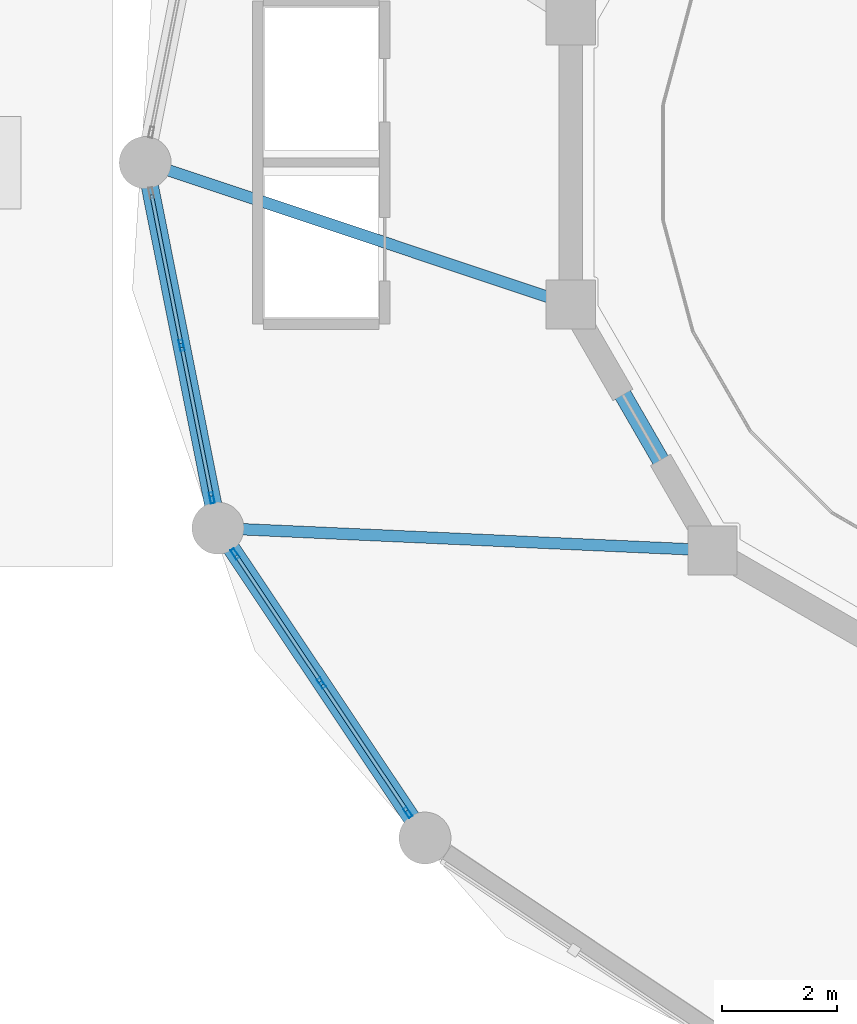
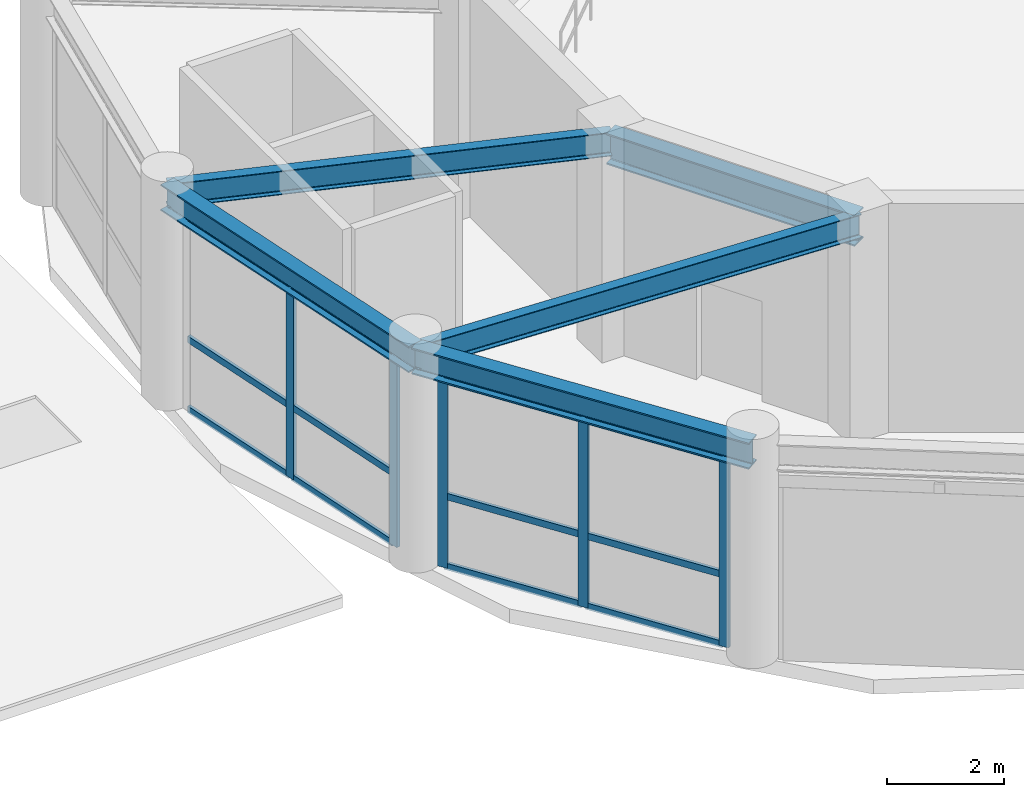
# One storey, part 10 of 34: 17 members, 5 beams, 2 elements without a shape of their own.
"""IFC4 building model written with IfcOpenShell, lengths in metres."""

import ifcopenshell
import ifcopenshell.guid

model = None  # the IFC model being written
_history = None  # IfcOwnerHistory: only IFC2X3 demands one
_inside = {}  # id of a spatial element -> (the spatial element, [elements in it])
_under = {}  # id of a project, library or spatial element -> (it, [spatial elements below it])
_declared = {}  # id of a project -> (the project, [libraries it declares])
_typed = {}  # id of a type object -> (the type object, [elements of that type])
_made_of = {}  # id of a material, layer set ... -> (it, [elements and type objects made of it])


def new_model(schema):
    """Start an empty IFC model of exactly this schema.

    Asked for "IFC4X3", IfcOpenShell would pick the latest addendum, in which some entities
    have other attributes; the version numbers below select the first issue.
    IFC2X3 requires an IfcOwnerHistory on every rooted entity: one is made here for all.
    """
    global model, _history
    if schema == "IFC4X3":
        model = ifcopenshell.file(schema_version=(4, 3, 0, 0))
    else:
        model = ifcopenshell.file(schema=schema)
    _inside.clear()
    _under.clear()
    _declared.clear()
    _typed.clear()
    _made_of.clear()
    _history = None
    if model.schema == "IFC2X3":
        org = make("IfcOrganization", Name="unknown")
        user = make(
            "IfcPersonAndOrganization",
            ThePerson=make("IfcPerson", FamilyName="unknown"),
            TheOrganization=org,
        )
        app = make(
            "IfcApplication",
            ApplicationDeveloper=org,
            Version="unknown",
            ApplicationFullName="unknown",
            ApplicationIdentifier="unknown",
        )
        _history = make(
            "IfcOwnerHistory",
            OwningUser=user,
            OwningApplication=app,
            ChangeAction="ADDED",
            CreationDate=0,
        )
    return model


def make(cls, **values):
    """One entity of the class cls with the attributes given. An attribute that is None is left unset."""
    return model.create_entity(
        cls, **{name: value for name, value in values.items() if value is not None}
    )


def rooted(cls, **values):
    """An entity with a GlobalId (a new one), such as an element, a storey or a relation."""
    return make(cls, GlobalId=ifcopenshell.guid.new(), OwnerHistory=_history, **values)


def si_unit(unit_type, name, prefix=None):
    """IfcSIUnit, for example si_unit("LENGTHUNIT", "METRE", prefix="MILLI")."""
    return make("IfcSIUnit", UnitType=unit_type, Prefix=prefix, Name=name)


def derived_unit(unit_type, elements):
    """IfcDerivedUnit: a product of units, each with its exponent."""
    return make(
        "IfcDerivedUnit",
        Elements=[
            make("IfcDerivedUnitElement", Unit=unit, Exponent=power)
            for unit, power in elements
        ],
        UnitType=unit_type,
    )


def assignment(units):
    """IfcUnitAssignment: the units of a project."""
    return None if units is None else make("IfcUnitAssignment", Units=units)


def point(xyz):
    """IfcCartesianPoint."""
    return None if xyz is None else make("IfcCartesianPoint", Coordinates=xyz)


def direction(xyz):
    """IfcDirection."""
    return None if xyz is None else make("IfcDirection", DirectionRatios=xyz)


def frame(location, z_axis=None, x_axis=None):
    """IfcAxis2Placement3D, a coordinate frame: its origin and axes. An axis left out is left unset."""
    return make(
        "IfcAxis2Placement3D",
        Location=point(location),
        Axis=direction(z_axis),
        RefDirection=direction(x_axis),
    )


def frame_2d(location, x_axis=None):
    """IfcAxis2Placement2D, a coordinate frame in the plane: its origin and x axis."""
    return make(
        "IfcAxis2Placement2D", Location=point(location), RefDirection=direction(x_axis)
    )


def origin():
    """The frame at (0, 0, 0) with its axes left unset."""
    return frame((0.0, 0.0, 0.0))


def origin_2d():
    """The frame at (0, 0) in the plane with its x axis left unset."""
    return frame_2d((0.0, 0.0))


def place(relative_to, where):
    """IfcLocalPlacement: puts the frame where relative to a parent placement (None: the world)."""
    return make(
        "IfcLocalPlacement", PlacementRelTo=relative_to, RelativePlacement=where
    )


def context(
    kind, dimensions, precision=None, world=None, true_north=None, identifier=None
):
    """IfcGeometricRepresentationContext, for example the 3D "Model" context."""
    return make(
        "IfcGeometricRepresentationContext",
        ContextIdentifier=identifier,
        ContextType=kind,
        CoordinateSpaceDimension=dimensions,
        Precision=precision,
        WorldCoordinateSystem=world,
        TrueNorth=true_north,
    )


def subcontext(parent, identifier, kind, view, scale=None):
    """IfcGeometricRepresentationSubContext, for example "Body" below "Model"."""
    return make(
        "IfcGeometricRepresentationSubContext",
        ContextIdentifier=identifier,
        ContextType=kind,
        ParentContext=parent,
        TargetScale=scale,
        TargetView=view,
    )


def project(units=None, contexts=None):
    """IfcProject with its units and contexts."""
    return rooted(
        "IfcProject",
        Name="project",
        RepresentationContexts=contexts,
        UnitsInContext=assignment(units),
    )


def spatial(cls, under=None, at=None, **own):
    """A site, building, storey or space (cls), placed at a placement, below another one or the project."""
    s = rooted(cls, ObjectPlacement=at, **own)
    if under is not None:
        _under.setdefault(under.id(), (under, []))[1].append(s)
    return s


def profile(cls, at=None, kind="AREA", **sizes):
    """A parametric profile (cls). Its sizes go by their IFC names, for example OverallWidth=200.0."""
    return make(cls, ProfileType=kind, Position=at, **sizes)


def hollow_rectangle(**sizes):
    """IfcRectangleHollowProfileDef."""
    return profile("IfcRectangleHollowProfileDef", **sizes)


def i_section(**sizes):
    """IfcIShapeProfileDef."""
    return profile("IfcIShapeProfileDef", **sizes)


def extrude(swept, where, along, depth):
    """IfcExtrudedAreaSolid: the profile swept, set in the frame where, extruded along a direction by depth."""
    return make(
        "IfcExtrudedAreaSolid",
        SweptArea=swept,
        Position=where,
        ExtrudedDirection=direction(along),
        Depth=depth,
    )


def shape(context_of_items, identifier, shape_type, items):
    """IfcShapeRepresentation: the items that make up one representation, for example the "Body"."""
    return make(
        "IfcShapeRepresentation",
        ContextOfItems=context_of_items,
        RepresentationIdentifier=identifier,
        RepresentationType=shape_type,
        Items=items,
    )


def source(mapping_origin, context_of_items, identifier, shape_type, items):
    """IfcRepresentationMap: a shape defined once, which mapped items show again and again."""
    return make(
        "IfcRepresentationMap",
        MappingOrigin=mapping_origin,
        MappedRepresentation=shape(context_of_items, identifier, shape_type, items),
    )


def transform(
    local_origin,
    x_axis=None,
    y_axis=None,
    z_axis=None,
    scale=None,
    scale2=None,
    scale3=None,
    uniform=True,
):
    """IfcCartesianTransformationOperator3D, or its non-uniform kind. x_axis, y_axis, z_axis: its Axis1, 2, 3."""
    if uniform:
        return make(
            "IfcCartesianTransformationOperator3D",
            Axis1=direction(x_axis),
            Axis2=direction(y_axis),
            LocalOrigin=point(local_origin),
            Scale=scale,
            Axis3=direction(z_axis),
        )
    return make(
        "IfcCartesianTransformationOperator3DnonUniform",
        Axis1=direction(x_axis),
        Axis2=direction(y_axis),
        LocalOrigin=point(local_origin),
        Scale=scale,
        Axis3=direction(z_axis),
        Scale2=scale2,
        Scale3=scale3,
    )


def mapped(mapping_source, mapping_target):
    """IfcMappedItem: shows the shape of a source again, moved by a transform."""
    return make(
        "IfcMappedItem", MappingSource=mapping_source, MappingTarget=mapping_target
    )


def material(Name=None, Category=None):
    """IfcMaterial."""
    return make("IfcMaterial", Name=Name, Category=Category)


def layer(
    of_material, thickness, ventilated=None, Name=None, Category=None, Priority=None
):
    """IfcMaterialLayer: one layer of a wall or slab, of a material (None: an air gap)."""
    return make(
        "IfcMaterialLayer",
        Material=of_material,
        LayerThickness=thickness,
        IsVentilated=ventilated,
        Name=Name,
        Category=Category,
        Priority=Priority,
    )


def layer_set(layers, Name=None):
    """IfcMaterialLayerSet."""
    return make("IfcMaterialLayerSet", MaterialLayers=layers, LayerSetName=Name)


def material_profile(
    of_material, cross_section, Name=None, Category=None, Priority=None
):
    """IfcMaterialProfile: a cross section and its material."""
    return make(
        "IfcMaterialProfile",
        Name=Name,
        Material=of_material,
        Profile=cross_section,
        Priority=Priority,
        Category=Category,
    )


def profile_set(profiles, Name=None, composite=None):
    """IfcMaterialProfileSet."""
    return make(
        "IfcMaterialProfileSet",
        Name=Name,
        MaterialProfiles=profiles,
        CompositeProfile=composite,
    )


def made_of(thing, what):
    """Note that an element or type object is made of a material, layer set ...; save() writes the relation."""
    if what is not None:
        _made_of.setdefault(what.id(), (what, []))[1].append(thing)
    return thing


def type_object(cls, material=None, **own):
    """A type object (cls), such as IfcWallType, which elements share."""
    return made_of(rooted(cls, **own), material)


def element(
    cls,
    number,
    at=None,
    inside=None,
    cuts=None,
    type_object=None,
    material=None,
    context=None,
    identifier="Body",
    shape_type=None,
    held_by="IfcProductDefinitionShape",
    body=None,
    shapes=None,
    **own,
):
    """One element of the class cls, such as IfcWall. Its Tag is "e" and its number.

    at: its placement. inside: the storey or other place that contains it. cuts: it is an
    opening in that element (IfcRelVoidsElement). A single representation is given by context,
    identifier, shape_type and body (its items); several are given by shapes. held_by: the class
    of the entity that holds the representations. save() writes the other relations.
    """
    e = rooted(cls, Tag="e%d" % number, ObjectPlacement=at, **own)
    if body is not None:
        shapes = [shape(context, identifier, shape_type, body)]
    if shapes is not None:
        e.Representation = make(held_by, Representations=shapes)
    if inside is not None:
        _inside.setdefault(inside.id(), (inside, []))[1].append(e)
    if cuts is not None:
        rooted(
            "IfcRelVoidsElement", RelatingBuildingElement=cuts, RelatedOpeningElement=e
        )
    if type_object is not None:
        _typed.setdefault(type_object.id(), (type_object, []))[1].append(e)
    return made_of(e, material)


def aggregate(whole, parts):
    """IfcRelAggregates: a whole, such as a stair, and the parts it consists of."""
    return rooted("IfcRelAggregates", RelatingObject=whole, RelatedObjects=parts)


def save(model, path):
    """Write the relations noted so far, then the file.

    IfcRelAggregates (storeys below a building ...), IfcRelContainedInSpatialStructure (elements
    in a storey), IfcRelDefinesByType, IfcRelAssociatesMaterial and IfcRelDeclares: one each for
    every whole, place, type object, material and project.
    """
    for whole, parts in _under.values():
        aggregate(whole, parts)
    for where, things in _inside.values():
        rooted(
            "IfcRelContainedInSpatialStructure",
            RelatedElements=things,
            RelatingStructure=where,
        )
    for kind, things in _typed.values():
        rooted("IfcRelDefinesByType", RelatedObjects=things, RelatingType=kind)
    for what, things in _made_of.values():
        rooted("IfcRelAssociatesMaterial", RelatedObjects=things, RelatingMaterial=what)
    for by, libraries in _declared.values():
        rooted("IfcRelDeclares", RelatingContext=by, RelatedDefinitions=libraries)
    model.write(path)


model = new_model("IFC4")

# Units and contexts
model_context = context("Model", 3, precision=1e-05, world=origin(), true_north=direction((0.0, 1.0)))
body_context = subcontext(model_context, "Body", "Model", "MODEL_VIEW")
ifc_project = project(units=[si_unit("LENGTHUNIT", "METRE"), si_unit("AREAUNIT", "SQUARE_METRE"), si_unit("VOLUMEUNIT", "CUBIC_METRE"), si_unit("PLANEANGLEUNIT", "RADIAN"), si_unit("MASSUNIT", "GRAM", prefix="KILO"), derived_unit("THERMALTRANSMITTANCEUNIT", [(si_unit("POWERUNIT", "WATT"), 1), (si_unit("LENGTHUNIT", "METRE"), -2), (si_unit("THERMODYNAMICTEMPERATUREUNIT", "KELVIN"), -1)])], contexts=[model_context])

# Site, building, storey
site_placement = place(None, origin())
site = spatial("IfcSite", under=ifc_project, at=site_placement, CompositionType="ELEMENT")
building_placement = place(site_placement, origin())
building = spatial("IfcBuilding", under=site, at=building_placement, Name="Korsvarv Bourse and Concert Hall", CompositionType="ELEMENT")
storey_placement = place(building_placement, frame((0.0, 0.0, 14.39990234375)))
storey = spatial("IfcBuildingStorey", under=building, at=storey_placement, Name="L03", CompositionType="ELEMENT", Elevation=14.39990234375)

# Beams
ifc_material_1 = material(Name="Steel S355", Category="steel")
ifc_material_profile_1 = material_profile(ifc_material_1, i_section(OverallWidth=0.300048828125, OverallDepth=0.550048828125, WebThickness=0.014892578125, FlangeThickness=0.029052734375, FilletRadius=0.02392578125, at=origin_2d()), Name="HEB 550")
ifc_profile_set_1 = profile_set([ifc_material_profile_1], Name="Steel S355")
beam_type_1 = type_object("IfcBeamType", Name="BM-HEB550", PredefinedType="BEAM", material=ifc_profile_set_1)
shared_shape_1 = source(origin(), body_context, "Body", "SweptSolid", [
    extrude(i_section(OverallWidth=0.300048828125, OverallDepth=0.550048828125, WebThickness=0.014892578125, FlangeThickness=0.029052734375, FilletRadius=0.02392578125, at=origin_2d()), origin(), (0.0, 0.0, 1.0), 6.45751953125),
])
for number, where, z_axis, x_axis, name in (
    (1, (90.25, 36.0, 4.22509765625), (0.195083607229, -0.980786616034, 0.0), (0.980786616034, 0.195083607229, 0.0), "L03 beam B-06"),
    (2, (91.509765625, 29.66650390625, 4.22509765625), (0.55558109052, -0.83146235745, 0.0), (0.83146235745, 0.55558109052, 0.0), "L03 beam B-06"),
):
    element("IfcBeam", number, at=place(storey_placement, frame(where, z_axis=z_axis, x_axis=x_axis)), inside=storey, type_object=beam_type_1, Name=name, PredefinedType="BEAM", context=body_context, shape_type="MappedRepresentation", body=[
        mapped(shared_shape_1, transform((0.0, 0.0, 0.0), scale=1.0)),
    ])
ifc_material_profile_2 = material_profile(ifc_material_1, i_section(OverallWidth=0.300048828125, OverallDepth=0.64990234375, WebThickness=0.01611328125, FlangeThickness=0.031005859375, FilletRadius=0.027099609375, at=origin_2d()), Name="HEB 650")
ifc_profile_set_2 = profile_set([ifc_material_profile_2], Name="Steel S355")
beam_type_2 = type_object("IfcBeamType", Name="BM-HEB650", PredefinedType="BEAM", material=ifc_profile_set_2)
shared_shape_2 = source(origin(), body_context, "Body", "SweptSolid", [
    extrude(i_section(OverallWidth=0.300048828125, OverallDepth=0.64990234375, WebThickness=0.01611328125, FlangeThickness=0.031005859375, FilletRadius=0.027099609375, at=origin_2d()), origin(), (0.0, 0.0, 1.0), 4.91748046875),
])
beam_1_placement = place(storey_placement, frame((97.623779296875, 33.541259765625, 4.175048828125), z_axis=(0.499988900423, -0.866031812033, 0.0), x_axis=(0.866031812033, 0.499988900423, 0.0)))
element("IfcBeam", 3, at=beam_1_placement, inside=storey, type_object=beam_type_2, Name="L03 beam B-04", PredefinedType="BEAM", context=body_context, shape_type="MappedRepresentation", body=[
    mapped(shared_shape_2, transform((0.0, 0.0, 0.0), scale=1.0)),
])
ifc_material_profile_3 = material_profile(ifc_material_1, i_section(OverallWidth=0.199951171875, OverallDepth=0.5, WebThickness=0.01025390625, FlangeThickness=0.01611328125, FilletRadius=0.02099609375, at=origin_2d()), Name="IPE 500")
ifc_profile_set_3 = profile_set([ifc_material_profile_3], Name="Steel S355")
beam_type_3 = type_object("IfcBeamType", Name="BM-IPE500", PredefinedType="JOIST", material=ifc_profile_set_3)
shared_shape_3 = source(origin(), body_context, "Body", "SweptSolid", [
    extrude(i_section(OverallWidth=0.199951171875, OverallDepth=0.5, WebThickness=0.01025390625, FlangeThickness=0.01611328125, FilletRadius=0.02099609375, at=origin_2d()), origin(), (0.0, 0.0, 1.0), 7.77294921875),
])
beam_2_placement = place(storey_placement, frame((97.623779296875, 33.541259765625, 4.25), z_axis=(-0.948651884177, 0.316321992039, 0.0), x_axis=(-0.316321992039, -0.948651884177, 0.0)))
element("IfcBeam", 4, at=beam_2_placement, inside=storey, type_object=beam_type_3, Name="L03 beam J-03", PredefinedType="JOIST", context=body_context, shape_type="MappedRepresentation", body=[
    mapped(shared_shape_3, transform((0.0, 0.0, 0.0), scale=1.0)),
])
shared_shape_4 = source(origin(), body_context, "Body", "SweptSolid", [
    extrude(i_section(OverallWidth=0.199951171875, OverallDepth=0.5, WebThickness=0.01025390625, FlangeThickness=0.01611328125, FilletRadius=0.02099609375, at=origin_2d()), origin(), (0.0, 0.0, 1.0), 8.581298828125),
])
beam_3_placement = place(storey_placement, frame((100.08251953125, 29.282470703125, 4.25), z_axis=(-0.998998124412, 0.044752066119, 0.0), x_axis=(-0.044752066119, -0.998998124412, 0.0)))
element("IfcBeam", 5, at=beam_3_placement, inside=storey, type_object=beam_type_3, Name="L03 beam J-03", PredefinedType="JOIST", context=body_context, shape_type="MappedRepresentation", body=[
    mapped(shared_shape_4, transform((0.0, 0.0, 0.0), scale=1.0)),
])

# Curtain wall, members
ifc_material_2 = material(Name="Anodised aluminium and triple low-E glazing", Category="glass")
ifc_layer = layer(ifc_material_2, 0.22998046875)
ifc_layer_set = layer_set([ifc_layer], Name="Anodised aluminium and triple low-E glazing")
curtain_wall_type = type_object("IfcCurtainWallType", Name="CW-SYS-6", PredefinedType="NOTDEFINED", material=ifc_layer_set)
curtain_wall_1_placement = place(storey_placement, origin())
curtain_wall_1 = element("IfcCurtainWall", 6, at=curtain_wall_1_placement, inside=storey, type_object=curtain_wall_type, Name="L03 CW6 curtain wall CW-L03-CH09", PredefinedType="NOTDEFINED")
ifc_material_3 = material(Name="Extruded aluminium EN AW-6063 T66", Category="aluminium")
ifc_material_profile_4 = material_profile(ifc_material_3, hollow_rectangle(XDim=0.06494140625, YDim=0.139892578125, WallThickness=0.00390625, at=origin_2d()), Name="ALU-T 65x140")
ifc_profile_set_4 = profile_set([ifc_material_profile_4], Name="Extruded aluminium EN AW-6063 T66")
member_type_1 = type_object("IfcMemberType", Name="CWT-140", PredefinedType="USERDEFINED", material=ifc_profile_set_4)
shared_shape_5 = source(origin(), body_context, "Body", "SweptSolid", [
    extrude(hollow_rectangle(XDim=0.06494140625, YDim=0.139892578125, WallThickness=0.00390625, at=origin_2d()), origin(), (0.0, 0.0, 1.0), 2.62353515625),
])
member_1_placement = place(storey_placement, frame((90.88671875, 32.799072265625, 0.03271484375), z_axis=(0.195042311364, -0.980794829094, 0.0), x_axis=(0.980794829094, 0.195042311364, 0.0)))
member_1 = element("IfcMember", 7, at=member_1_placement, type_object=member_type_1, Name="CW6 transom 2.1", ObjectType="TRANSOM", PredefinedType="USERDEFINED", context=body_context, shape_type="MappedRepresentation", body=[
    mapped(shared_shape_5, transform((0.0, 0.0, 0.0), scale=1.0)),
])
member_2_placement = place(storey_placement, frame((90.88671875, 32.799072265625, 1.5009765625), z_axis=(0.195042311364, -0.980794829094, 0.0), x_axis=(0.980794829094, 0.195042311364, 0.0)))
member_2 = element("IfcMember", 8, at=member_2_placement, type_object=member_type_1, Name="CW6 transom 2.2", ObjectType="TRANSOM", PredefinedType="USERDEFINED", context=body_context, shape_type="MappedRepresentation", body=[
    mapped(shared_shape_5, transform((0.0, 0.0, 0.0), scale=1.0)),
])
member_3_placement = place(storey_placement, frame((90.88671875, 32.799072265625, 3.91748046875), z_axis=(0.195042311364, -0.980794829094, 0.0), x_axis=(0.980794829094, 0.195042311364, 0.0)))
member_3 = element("IfcMember", 9, at=member_3_placement, type_object=member_type_1, Name="CW6 transom 2.3", ObjectType="TRANSOM", PredefinedType="USERDEFINED", context=body_context, shape_type="MappedRepresentation", body=[
    mapped(shared_shape_5, transform((0.0, 0.0, 0.0), scale=1.0)),
])

curtain_wall_2_placement = place(storey_placement, origin())
curtain_wall_2 = element("IfcCurtainWall", 10, at=curtain_wall_2_placement, inside=storey, type_object=curtain_wall_type, Name="L03 CW6 curtain wall CW-L03-CH10", PredefinedType="NOTDEFINED")
member_4_placement = place(storey_placement, frame((91.82666015625, 29.1923828125, 0.03271484375), z_axis=(0.555558901624, -0.831477183587, 0.0), x_axis=(0.831477183587, 0.555558901624, 0.0)))
member_4 = element("IfcMember", 11, at=member_4_placement, type_object=member_type_1, Name="CW6 transom 1.1", ObjectType="TRANSOM", PredefinedType="USERDEFINED", context=body_context, shape_type="MappedRepresentation", body=[
    mapped(shared_shape_5, transform((0.0, 0.0, 0.0), scale=1.0)),
])
member_5_placement = place(storey_placement, frame((91.82666015625, 29.1923828125, 1.5009765625), z_axis=(0.555558901624, -0.831477183587, 0.0), x_axis=(0.831477183587, 0.555558901624, 0.0)))
member_5 = element("IfcMember", 12, at=member_5_placement, type_object=member_type_1, Name="CW6 transom 1.2", ObjectType="TRANSOM", PredefinedType="USERDEFINED", context=body_context, shape_type="MappedRepresentation", body=[
    mapped(shared_shape_5, transform((0.0, 0.0, 0.0), scale=1.0)),
])
member_6_placement = place(storey_placement, frame((91.82666015625, 29.1923828125, 3.91748046875), z_axis=(0.555558901624, -0.831477183587, 0.0), x_axis=(0.831477183587, 0.555558901624, 0.0)))
member_6 = element("IfcMember", 13, at=member_6_placement, type_object=member_type_1, Name="CW6 transom 1.3", ObjectType="TRANSOM", PredefinedType="USERDEFINED", context=body_context, shape_type="MappedRepresentation", body=[
    mapped(shared_shape_5, transform((0.0, 0.0, 0.0), scale=1.0)),
])
member_7_placement = place(storey_placement, frame((93.322998046875, 26.952880859375, 0.03271484375), z_axis=(0.555558901624, -0.831477183587, 0.0), x_axis=(0.831477183587, 0.555558901624, 0.0)))
member_7 = element("IfcMember", 14, at=member_7_placement, type_object=member_type_1, Name="CW6 transom 2.1", ObjectType="TRANSOM", PredefinedType="USERDEFINED", context=body_context, shape_type="MappedRepresentation", body=[
    mapped(shared_shape_5, transform((0.0, 0.0, 0.0), scale=1.0)),
])
member_8_placement = place(storey_placement, frame((93.322998046875, 26.952880859375, 1.5009765625), z_axis=(0.555558901624, -0.831477183587, 0.0), x_axis=(0.831477183587, 0.555558901624, 0.0)))
member_8 = element("IfcMember", 15, at=member_8_placement, type_object=member_type_1, Name="CW6 transom 2.2", ObjectType="TRANSOM", PredefinedType="USERDEFINED", context=body_context, shape_type="MappedRepresentation", body=[
    mapped(shared_shape_5, transform((0.0, 0.0, 0.0), scale=1.0)),
])
member_9_placement = place(storey_placement, frame((93.322998046875, 26.952880859375, 3.91748046875), z_axis=(0.555558901624, -0.831477183587, 0.0), x_axis=(0.831477183587, 0.555558901624, 0.0)))
member_9 = element("IfcMember", 16, at=member_9_placement, type_object=member_type_1, Name="CW6 transom 2.3", ObjectType="TRANSOM", PredefinedType="USERDEFINED", context=body_context, shape_type="MappedRepresentation", body=[
    mapped(shared_shape_5, transform((0.0, 0.0, 0.0), scale=1.0)),
])

# Member
ifc_material_profile_5 = material_profile(ifc_material_3, hollow_rectangle(XDim=0.070068359375, YDim=0.18994140625, WallThickness=0.0048828125, at=origin_2d()), Name="ALU-M 70x190")
ifc_profile_set_5 = profile_set([ifc_material_profile_5], Name="Extruded aluminium EN AW-6063 T66")
member_type_2 = type_object("IfcMemberType", Name="CWM-190", PredefinedType="MULLION", material=ifc_profile_set_5)
shared_shape_6 = source(origin(), body_context, "Body", "SweptSolid", [
    extrude(hollow_rectangle(XDim=0.070068359375, YDim=0.18994140625, WallThickness=0.0048828125, at=origin_2d()), origin(), (0.0, 0.0, 1.0), 3.9501953125),
])
member_10_placement = place(storey_placement, frame((90.8798828125, 32.833251953125, 0.0), z_axis=(0.0, 0.0, 1.0), x_axis=(0.980785938629, 0.195087012862, 0.0)))
member_10 = element("IfcMember", 17, at=member_10_placement, type_object=member_type_2, Name="CW6 mullion 2", PredefinedType="MULLION", context=body_context, shape_type="MappedRepresentation", body=[
    mapped(shared_shape_6, transform((0.0, 0.0, 0.0), scale=1.0)),
])

member_11_placement = place(storey_placement, frame((91.4052734375, 30.19140625, 0.0), z_axis=(0.0, 0.0, 1.0), x_axis=(0.980785938629, 0.195087012862, 0.0)))
member_11 = element("IfcMember", 18, at=member_11_placement, type_object=member_type_2, Name="CW6 mullion 3", PredefinedType="MULLION", context=body_context, shape_type="MappedRepresentation", body=[
    mapped(shared_shape_6, transform((0.0, 0.0, 0.0), scale=1.0)),
])

member_12_placement = place(storey_placement, frame((91.80712890625, 29.2216796875, 0.0), z_axis=(0.0, 0.0, 1.0), x_axis=(0.831469083386, 0.555571024599, 0.0)))
member_12 = element("IfcMember", 19, at=member_12_placement, type_object=member_type_2, Name="CW6 mullion 1", PredefinedType="MULLION", context=body_context, shape_type="MappedRepresentation", body=[
    mapped(shared_shape_6, transform((0.0, 0.0, 0.0), scale=1.0)),
])

member_13_placement = place(storey_placement, frame((93.3037109375, 26.98193359375, 0.0), z_axis=(0.0, 0.0, 1.0), x_axis=(0.831469083386, 0.555571024599, 0.0)))
member_13 = element("IfcMember", 20, at=member_13_placement, type_object=member_type_2, Name="CW6 mullion 2", PredefinedType="MULLION", context=body_context, shape_type="MappedRepresentation", body=[
    mapped(shared_shape_6, transform((0.0, 0.0, 0.0), scale=1.0)),
])

member_14_placement = place(storey_placement, frame((94.800048828125, 24.742431640625, 0.0), z_axis=(0.0, 0.0, 1.0), x_axis=(0.831469083386, 0.555571024599, 0.0)))
member_14 = element("IfcMember", 21, at=member_14_placement, type_object=member_type_2, Name="CW6 mullion 3", PredefinedType="MULLION", context=body_context, shape_type="MappedRepresentation", body=[
    mapped(shared_shape_6, transform((0.0, 0.0, 0.0), scale=1.0)),
])

aggregate(curtain_wall_2, [member_12, member_13, member_14, member_4, member_5, member_6, member_7, member_8, member_9])

shared_shape_7 = source(origin(), body_context, "Body", "SweptSolid", [
    extrude(hollow_rectangle(XDim=0.06494140625, YDim=0.139892578125, WallThickness=0.00390625, at=origin_2d()), origin(), (0.0, 0.0, 1.0), 2.623291015625),
])
member_15_placement = place(storey_placement, frame((90.361328125, 35.440673828125, 0.03271484375), z_axis=(0.195060113964, -0.980791288675, 0.0), x_axis=(0.980791288675, 0.195060113964, 0.0)))
member_15 = element("IfcMember", 22, at=member_15_placement, type_object=member_type_1, Name="CW6 transom 1.1", ObjectType="TRANSOM", PredefinedType="USERDEFINED", context=body_context, shape_type="MappedRepresentation", body=[
    mapped(shared_shape_7, transform((0.0, 0.0, 0.0), scale=1.0)),
])

member_16_placement = place(storey_placement, frame((90.361328125, 35.440673828125, 1.5009765625), z_axis=(0.195060113964, -0.980791288675, 0.0), x_axis=(0.980791288675, 0.195060113964, 0.0)))
member_16 = element("IfcMember", 23, at=member_16_placement, type_object=member_type_1, Name="CW6 transom 1.2", ObjectType="TRANSOM", PredefinedType="USERDEFINED", context=body_context, shape_type="MappedRepresentation", body=[
    mapped(shared_shape_7, transform((0.0, 0.0, 0.0), scale=1.0)),
])

member_17_placement = place(storey_placement, frame((90.361328125, 35.440673828125, 3.91748046875), z_axis=(0.195060113964, -0.980791288675, 0.0), x_axis=(0.980791288675, 0.195060113964, 0.0)))
member_17 = element("IfcMember", 24, at=member_17_placement, type_object=member_type_1, Name="CW6 transom 1.3", ObjectType="TRANSOM", PredefinedType="USERDEFINED", context=body_context, shape_type="MappedRepresentation", body=[
    mapped(shared_shape_7, transform((0.0, 0.0, 0.0), scale=1.0)),
])

aggregate(curtain_wall_1, [member_10, member_11, member_15, member_16, member_17, member_1, member_2, member_3])

save(model, "model.ifc")
